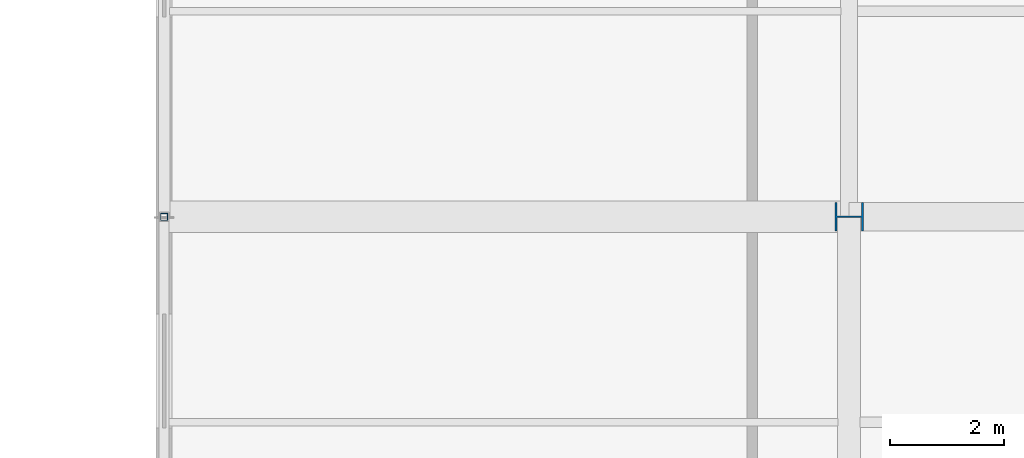
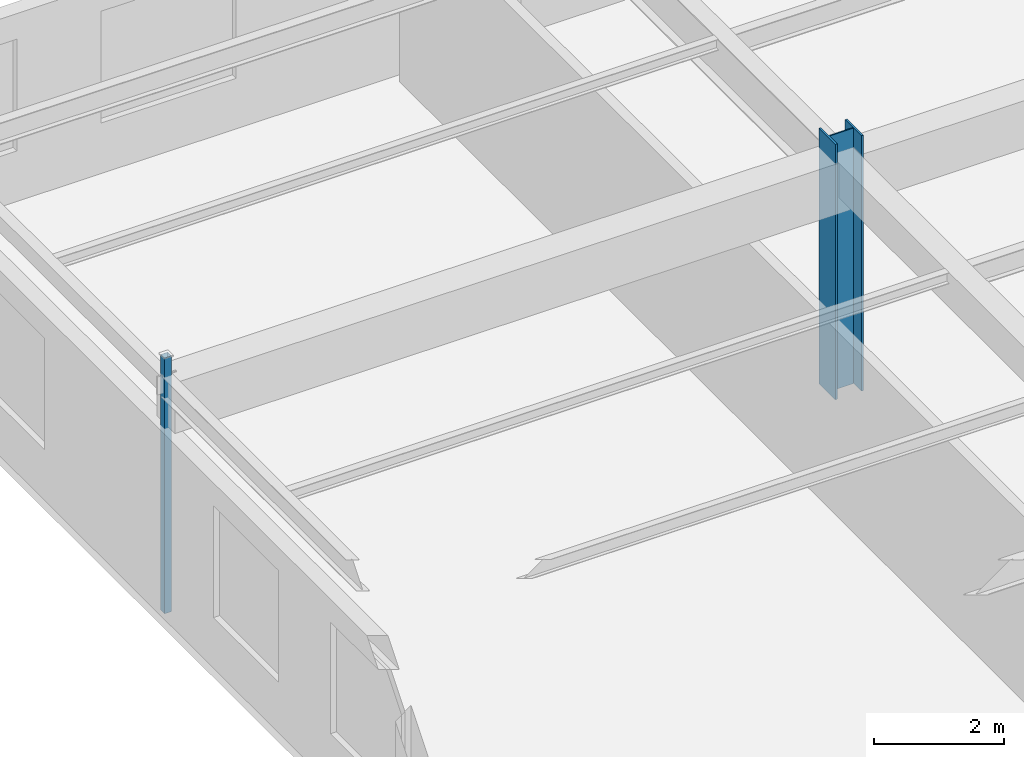
# One storey, part 25 of 199: 2 columns.
"""IFC4 building model written with IfcOpenShell, lengths in metres."""

from ifc_helpers import new_model, si_unit, direction, frame, origin, origin_2d, place, context, subcontext, project, spatial, hollow_rectangle, i_section, extrude, material, material_profile, profile_set, type_object, element, save


model = new_model("IFC4")

# Units and contexts
model_context = context("Model", 3, precision=1e-05, world=origin(), true_north=direction((0.0, 1.0)))
body_context = subcontext(model_context, "Body", "Model", "MODEL_VIEW")
ifc_project = project(units=[si_unit("LENGTHUNIT", "METRE"), si_unit("AREAUNIT", "SQUARE_METRE"), si_unit("VOLUMEUNIT", "CUBIC_METRE"), si_unit("PLANEANGLEUNIT", "RADIAN"), si_unit("MASSUNIT", "GRAM", prefix="KILO")], contexts=[model_context])

# Site, building, storey
site_placement = place(None, origin())
site = spatial("IfcSite", under=ifc_project, at=site_placement, CompositionType="ELEMENT")
building_placement = place(site_placement, origin())
building = spatial("IfcBuilding", under=site, at=building_placement, Name="Tarnwether General Hospital", CompositionType="ELEMENT")
storey_placement = place(building_placement, origin())
storey = spatial("IfcBuildingStorey", under=building, at=storey_placement, Name="L00", CompositionType="ELEMENT", Elevation=0.0)

# Columns
ifc_material_1 = material(Name="Steel Grade 350 (350 MPa)", Category="steel")
ifc_material_profile_1 = material_profile(ifc_material_1, i_section(OverallWidth=0.5, OverallDepth=0.5, WebThickness=0.02197265625, FlangeThickness=0.035888671875, at=origin_2d()), Name="500WC380")
ifc_profile_set_1 = profile_set([ifc_material_profile_1], Name="Steel Grade 350 (350 MPa)")
column_type_1 = type_object("IfcColumnType", Name="COL-01", PredefinedType="COLUMN", material=ifc_profile_set_1)
column_1_placement = place(storey_placement, frame((12.0, 115.199951171875, 0.0), z_axis=(0.0, 0.0, 1.0), x_axis=(0.0, 1.0, 0.0)))
element("IfcColumn", 1, at=column_1_placement, inside=storey, type_object=column_type_1, Name="Column COLG-L00-1200_11520", PredefinedType="COLUMN", context=body_context, shape_type="SweptSolid", body=[
    extrude(i_section(OverallWidth=0.5, OverallDepth=0.5, WebThickness=0.02197265625, FlangeThickness=0.035888671875, at=origin_2d()), origin(), (0.0, 0.0, 1.0), 4.800048828125),
])
ifc_material_2 = material(Name="Steel Grade C350L0 (350 MPa)", Category="steel")
ifc_material_profile_2 = material_profile(ifc_material_2, hollow_rectangle(XDim=0.125, YDim=0.125, WallThickness=0.006103515625, at=origin_2d()), Name="SHS125x125x6")
ifc_profile_set_2 = profile_set([ifc_material_profile_2], Name="Steel Grade C350L0 (350 MPa)")
column_type_2 = type_object("IfcColumnType", Name="COL-34", PredefinedType="COLUMN", material=ifc_profile_set_2)
column_2_placement = place(storey_placement, frame((0.0, 115.199951171875, 0.0), z_axis=(0.0, 0.0, 1.0), x_axis=(1.0, 0.0, 0.0)))
element("IfcColumn", 2, at=column_2_placement, inside=storey, type_object=column_type_2, Name="Column COLG-L00-0_11520", PredefinedType="COLUMN", context=body_context, shape_type="SweptSolid", body=[
    extrude(hollow_rectangle(XDim=0.125, YDim=0.125, WallThickness=0.006103515625, at=origin_2d()), origin(), (0.0, 0.0, 1.0), 4.800048828125),
])

save(model, "model.ifc")
